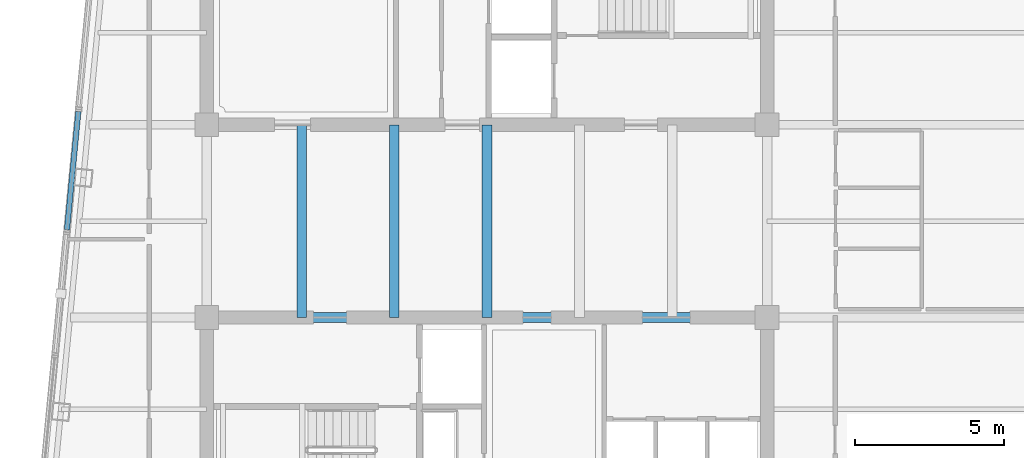
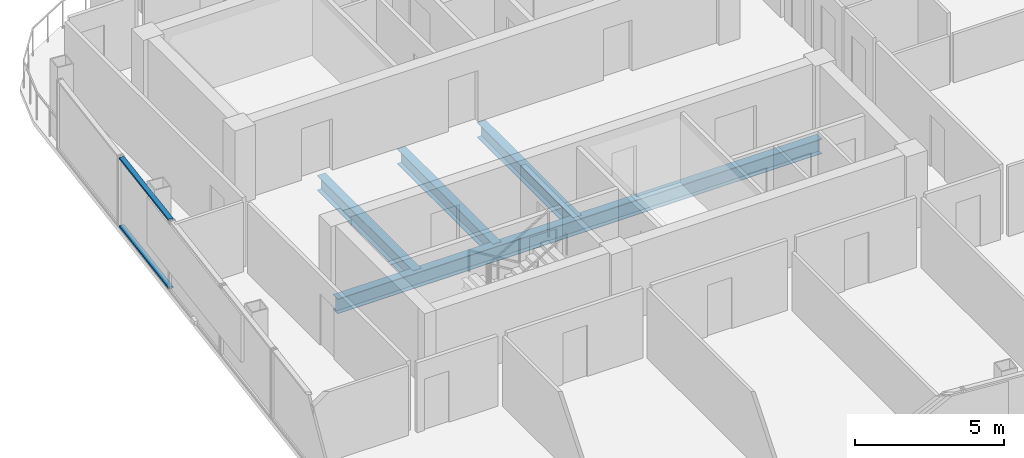
# One storey, part 8 of 22: 4 beams, 2 members, 1 element without a shape of its own.
"""IFC4 building model written with IfcOpenShell, lengths in metres."""

from ifc_helpers import new_model, si_unit, direction, frame, origin, origin_2d, place, context, subcontext, project, spatial, hollow_rectangle, i_section, extrude, material, layer, layer_set, material_profile, profile_set, type_object, element, aggregate, save


model = new_model("IFC4")

# Units and contexts
model_context = context("Model", 3, precision=1e-05, world=origin(), true_north=direction((0.0, 1.0)))
body_context = subcontext(model_context, "Body", "Model", "MODEL_VIEW")
ifc_project = project(units=[si_unit("LENGTHUNIT", "METRE"), si_unit("AREAUNIT", "SQUARE_METRE"), si_unit("VOLUMEUNIT", "CUBIC_METRE"), si_unit("PLANEANGLEUNIT", "RADIAN"), si_unit("MASSUNIT", "GRAM", prefix="KILO")], contexts=[model_context])

# Site, building, storey
site_placement = place(None, origin())
site = spatial("IfcSite", under=ifc_project, at=site_placement, CompositionType="ELEMENT")
building_placement = place(site_placement, origin())
building = spatial("IfcBuilding", under=site, at=building_placement, Name="Qhalaya Broadcast Tower", CompositionType="ELEMENT")
storey_placement = place(building_placement, frame((0.0, 0.0, 252.0)))
storey = spatial("IfcBuildingStorey", under=building, at=storey_placement, Name="L74", CompositionType="ELEMENT", Elevation=252.0)

# Beams
ifc_material_1 = material(Name="Structural Steel ASTM A992 Grade 50", Category="steel")
ifc_material_profile_1 = material_profile(ifc_material_1, i_section(OverallWidth=0.323974609375, OverallDepth=0.612060546875, WebThickness=0.0126953125, FlangeThickness=0.01904296875, at=origin_2d()), Name="W24X104")
ifc_profile_set_1 = profile_set([ifc_material_profile_1], Name="Structural Steel ASTM A992 Grade 50")
beam_type = type_object("IfcBeamType", Name="Core Frame Tie Beam B04", PredefinedType="BEAM", material=ifc_profile_set_1)
beam_placement = place(storey_placement, frame((-9.375, -2.625, -0.49609375), z_axis=(1.0, 0.0, 0.0), x_axis=(0.0, 1.0, 0.0)))
element("IfcBeam", 1, at=beam_placement, inside=storey, type_object=beam_type, Name="L74 B04 L74-CCS1", PredefinedType="BEAM", context=body_context, shape_type="SweptSolid", body=[
    extrude(i_section(OverallWidth=0.323974609375, OverallDepth=0.612060546875, WebThickness=0.0126953125, FlangeThickness=0.01904296875, at=origin_2d()), origin(), (0.0, 0.0, 1.0), 18.75),
])
for number, where, z_axis, x_axis, name in (
    (2, (-6.199951171875, -2.625, -0.49609375), (0.0, 1.0, 0.0), (-1.0, 0.0, 0.0), "L74 B04 L74-JC1-1"),
    (3, (-3.10009765625, -2.625, -0.49609375), (0.0, 1.0, 0.0), (-1.0, 0.0, 0.0), "L74 B04 L74-JC2-1"),
    (4, (0.0, -2.625, -0.49609375), (0.0, 1.0, 0.0), (-1.0, 0.0, 0.0), "L74 B04 L74-JC3-1"),
):
    element("IfcBeam", number, at=place(storey_placement, frame(where, z_axis=z_axis, x_axis=x_axis)), inside=storey, type_object=beam_type, Name=name, PredefinedType="BEAM", context=body_context, shape_type="SweptSolid", body=[
        extrude(i_section(OverallWidth=0.323974609375, OverallDepth=0.612060546875, WebThickness=0.0126953125, FlangeThickness=0.01904296875, at=origin_2d()), origin(), (0.0, 0.0, 1.0), 6.449951171875),
    ])

# Curtain wall, members
ifc_material_2 = material(Name="Solar-Control Low-E Triple Glazing", Category="glass")
ifc_layer = layer(ifc_material_2, 0.219970703125, Name="Solar-Control Low-E Triple Glazing")
ifc_layer_set = layer_set([ifc_layer], Name="Solar-Control Low-E Triple Glazing")
curtain_wall_type = type_object("IfcCurtainWallType", Name="High-Altitude Upper-Shaft Triple Low-E Curtain Wall CW-04", PredefinedType="NOTDEFINED", material=ifc_layer_set)
curtain_wall_placement = place(storey_placement, origin())
curtain_wall = element("IfcCurtainWall", 5, at=curtain_wall_placement, inside=storey, type_object=curtain_wall_type, Name="L74 Unitised Curtain Wall L74-CW-W2", PredefinedType="NOTDEFINED")
ifc_material_3 = material(Name="Anodised Aluminium 6063-T6", Category="aluminium")
ifc_material_profile_2 = material_profile(ifc_material_3, hollow_rectangle(XDim=0.074951171875, YDim=0.179931640625, WallThickness=0.00390625, at=origin_2d()), Name="ALU-TRN 75x180x4")
ifc_profile_set_2 = profile_set([ifc_material_profile_2], Name="Anodised Aluminium 6063-T6")
member_type = type_object("IfcMemberType", Name="Unitised Curtain-Wall Transom T01", PredefinedType="USERDEFINED", material=ifc_profile_set_2)
member_1_placement = place(storey_placement, frame((-13.6708984375, 4.2685546875, 0.03759765625), z_axis=(-0.095816433772, -0.995399021006, 0.0), x_axis=(0.0, 0.0, 1.0)))
member_1 = element("IfcMember", 6, at=member_1_placement, type_object=member_type, Name="CW-04 transom 1.1", ObjectType="TRANSOM", PredefinedType="USERDEFINED", context=body_context, shape_type="SweptSolid", body=[
    extrude(hollow_rectangle(XDim=0.074951171875, YDim=0.179931640625, WallThickness=0.00390625, at=origin_2d()), origin(), (0.0, 0.0, 1.0), 3.97998046875),
])
member_2_placement = place(storey_placement, frame((-13.6708984375, 4.2685546875, 2.822509765625), z_axis=(-0.095816433772, -0.995399021006, 0.0), x_axis=(0.0, 0.0, 1.0)))
member_2 = element("IfcMember", 7, at=member_2_placement, type_object=member_type, Name="CW-04 transom 1.2", ObjectType="TRANSOM", PredefinedType="USERDEFINED", context=body_context, shape_type="SweptSolid", body=[
    extrude(hollow_rectangle(XDim=0.074951171875, YDim=0.179931640625, WallThickness=0.00390625, at=origin_2d()), origin(), (0.0, 0.0, 1.0), 3.97998046875),
])
aggregate(curtain_wall, [member_1, member_2])

save(model, "model.ifc")
